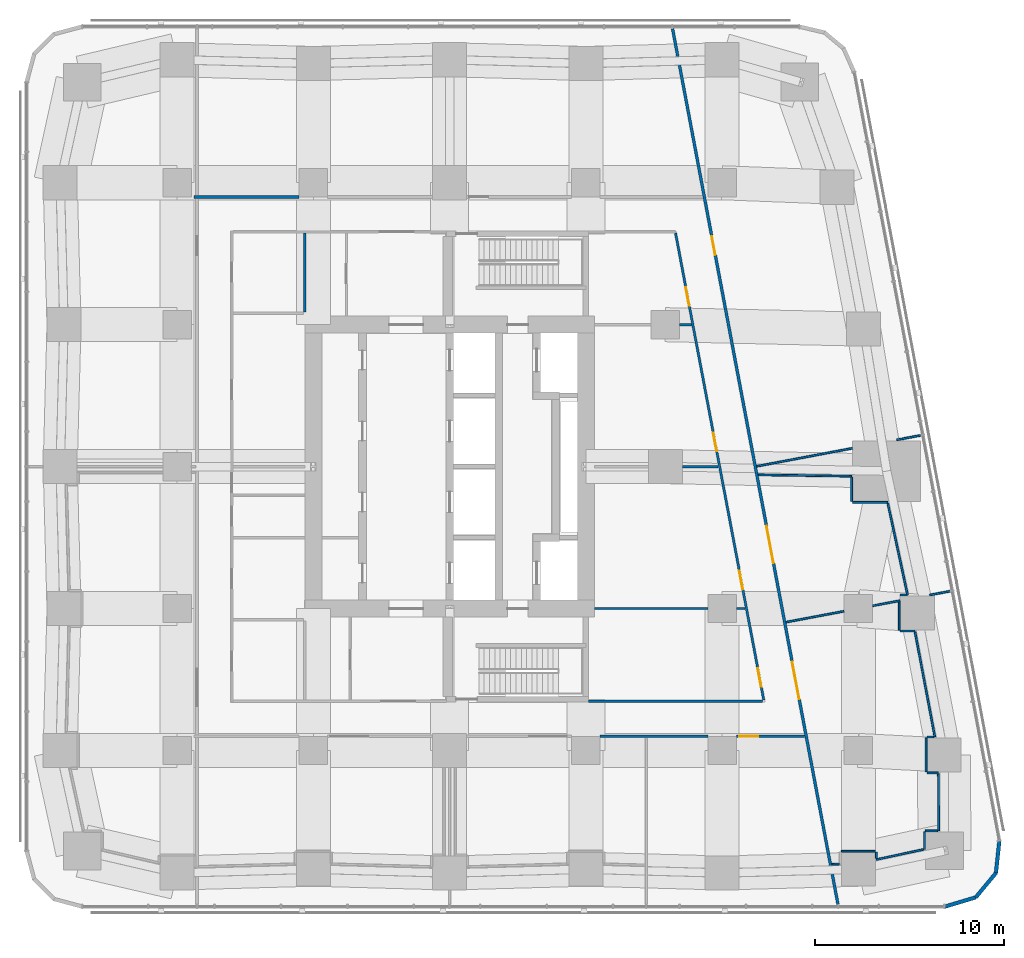
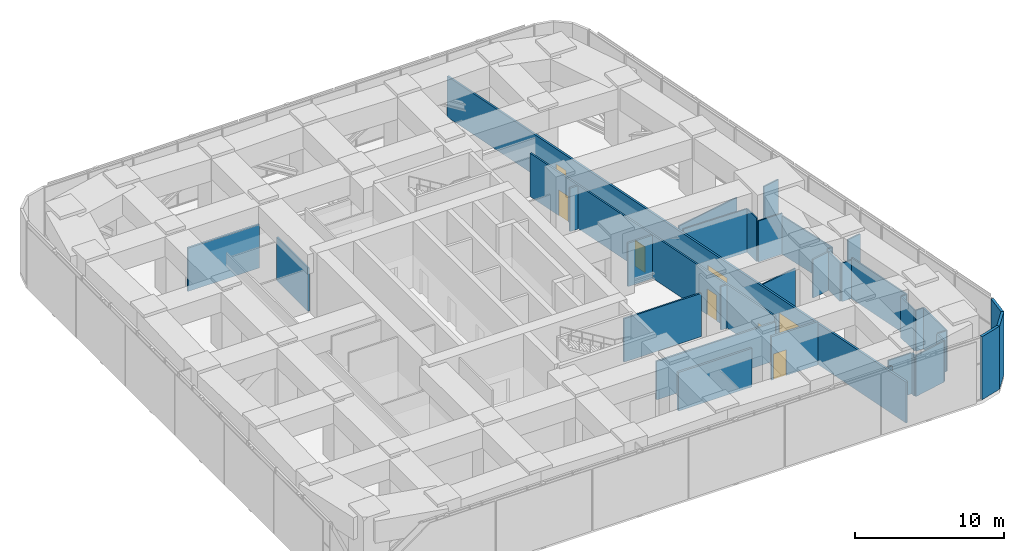
# One storey, part 14 of 17: 37 walls, 8 doors, 8 openings.
"""IFC4 building model written with IfcOpenShell, lengths in metres."""

from ifc_helpers import new_model, si_unit, direction, frame, frame_2d, origin, place, context, subcontext, project, spatial, rectangle, extrude, material, layer, layer_set, type_object, element, fill, save


model = new_model("IFC4")

# Units and contexts
model_context = context("Model", 3, precision=1e-05, world=origin(), true_north=direction((0.0, 1.0)))
body_context = subcontext(model_context, "Body", "Model", "MODEL_VIEW")
ifc_project = project(units=[si_unit("LENGTHUNIT", "METRE"), si_unit("AREAUNIT", "SQUARE_METRE"), si_unit("VOLUMEUNIT", "CUBIC_METRE"), si_unit("PLANEANGLEUNIT", "RADIAN"), si_unit("MASSUNIT", "GRAM", prefix="KILO")], contexts=[model_context])

# Site, building, storey
site_placement = place(None, origin())
site = spatial("IfcSite", under=ifc_project, at=site_placement, CompositionType="ELEMENT")
building_placement = place(site_placement, origin())
building = spatial("IfcBuilding", under=site, at=building_placement, Name="Sheger Commons Tower", CompositionType="ELEMENT")
storey_placement = place(building_placement, frame((0.0, 0.0, 188.300048828125)))
storey = spatial("IfcBuildingStorey", under=building, at=storey_placement, Name="L48", CompositionType="ELEMENT", Elevation=188.300048828125)

# Wall, opening, door
ifc_material_1 = material(Name="Hollow concrete block masonry, skimmed both sides", Category="masonry")
ifc_layer_1 = layer(ifc_material_1, 0.14990234375)
ifc_layer_set_1 = layer_set([ifc_layer_1], Name="CORRIDOR WALL 150")
wall_type_1 = type_object("IfcWallType", Name="CORRIDOR WALL 150", PredefinedType="SOLIDWALL", material=ifc_layer_set_1)
wall_1_placement = place(storey_placement, frame((40.35595703125, 8.25, 0.0), z_axis=(0.0, 0.0, 1.0), x_axis=(-1.0, 0.0, 0.0)))
wall_1 = element("IfcWall", 1, at=wall_1_placement, inside=storey, type_object=wall_type_1, Name="Corridor wall L48", PredefinedType="SOLIDWALL", context=body_context, shape_type="SweptSolid", body=[
    extrude(rectangle(XDim=3.60498046875, YDim=0.14990234375, at=frame_2d((1.802490234375, 0.0))), origin(), (0.0, 0.0, 1.0), 3.550048828125),
])
opening_1_placement = place(wall_1_placement, frame((2.455078125, 0.0, 0.0)))
opening_1 = element("IfcOpeningElement", 2, at=opening_1_placement, cuts=wall_1, Name="Opening D4", PredefinedType="OPENING", context=body_context, shape_type="SweptSolid", body=[
    extrude(rectangle(XDim=1.0, YDim=2.10009765625, at=frame_2d((0.5, 1.050048828125))), frame((0.0, 0.0849609375, 0.0), z_axis=(0.0, -1.0, 0.0), x_axis=(1.0, 0.0, 0.0)), (0.0, 0.0, 1.0), 0.169921875),
])
ifc_material_2 = material(Name="Steel door set, fire rated", Category="steel")
door_type_1 = type_object("IfcDoorType", Name="SERVICE DOOR 1000x2100", OperationType="NOTDEFINED", PredefinedType="DOOR", material=ifc_material_2)
door_1_placement = place(opening_1_placement, origin())
door_1 = element("IfcDoor", 3, at=door_1_placement, inside=storey, type_object=door_type_1, Name="Refuge area door", OperationType="SINGLE_SWING_RIGHT", OverallHeight=2.10009765625, OverallWidth=1.0, PredefinedType="DOOR", context=body_context, shape_type="SweptSolid", body=[
    extrude(rectangle(XDim=1.0, YDim=2.10009765625, at=frame_2d((0.5, 1.050048828125))), frame((0.0, 0.02490234375, 0.0), z_axis=(0.0, -1.0, 0.0), x_axis=(1.0, 0.0, 0.0)), (0.0, 0.0, 1.0), 0.050048828125),
])
fill(opening_1, door_1)

# Walls
wall_2_placement = place(storey_placement, frame((35.2490234375, 8.25, 0.0), z_axis=(0.0, 0.0, 1.0), x_axis=(-1.0, 0.0, 0.0)))
element("IfcWall", 4, at=wall_2_placement, inside=storey, type_object=wall_type_1, Name="Corridor wall L48", PredefinedType="SOLIDWALL", context=body_context, shape_type="SweptSolid", body=[
    extrude(rectangle(XDim=5.697998046875, YDim=0.14990234375, at=frame_2d((2.84912109375, 0.0))), origin(), (0.0, 0.0, 1.0), 3.14990234375),
])
wall_3_placement = place(storey_placement, frame((8.10009765625, 36.75, 0.0), z_axis=(0.0, 0.0, 1.0), x_axis=(1.0, 0.0, 0.0)))
element("IfcWall", 5, at=wall_3_placement, inside=storey, type_object=wall_type_1, Name="Corridor wall L48", PredefinedType="SOLIDWALL", context=body_context, shape_type="SweptSolid", body=[
    extrude(rectangle(XDim=5.548828125, YDim=0.14990234375, at=frame_2d((2.7744140625, 0.0))), origin(), (0.0, 0.0, 1.0), 3.550048828125),
])

# Wall, openings, doors
wall_4_placement = place(storey_placement, frame((33.384033203125, 45.637939453125, 0.0), z_axis=(0.0, 0.0, 1.0), x_axis=(0.185609889355, -0.982623513342, 0.0)))
wall_4 = element("IfcWall", 6, at=wall_4_placement, inside=storey, type_object=wall_type_1, Name="Corridor wall L48", PredefinedType="SOLIDWALL", context=body_context, shape_type="SweptSolid", body=[
    extrude(rectangle(XDim=47.09326171875, YDim=0.14990234375, at=frame_2d((23.546630859375, 0.0))), origin(), (0.0, 0.0, 1.0), 3.349853515625),
])
opening_2_placement = place(wall_4_placement, frame((11.166015625, 0.0, 0.0)))
opening_2 = element("IfcOpeningElement", 7, at=opening_2_placement, cuts=wall_4, Name="Opening D4", PredefinedType="OPENING", context=body_context, shape_type="SweptSolid", body=[
    extrude(rectangle(XDim=1.0, YDim=2.10009765625, at=frame_2d((0.5, 1.050048828125))), frame((0.0, 0.0849609375, 0.0), z_axis=(0.0, -1.0, 0.0), x_axis=(1.0, 0.0, 0.0)), (0.0, 0.0, 1.0), 0.169921875),
])
opening_3_placement = place(wall_4_placement, frame((26.737060546875, 0.0, 0.0)))
opening_3 = element("IfcOpeningElement", 8, at=opening_3_placement, cuts=wall_4, Name="Opening D8", PredefinedType="OPENING", context=body_context, shape_type="SweptSolid", body=[
    extrude(rectangle(XDim=2.0, YDim=2.10009765625, at=frame_2d((1.0, 1.050048828125))), frame((0.0, 0.0849609375, 0.0), z_axis=(0.0, -1.0, 0.0), x_axis=(1.0, 0.0, 0.0)), (0.0, 0.0, 1.0), 0.169921875),
])
opening_4_placement = place(wall_4_placement, frame((34.05810546875, 0.0, 0.0)))
opening_4 = element("IfcOpeningElement", 9, at=opening_4_placement, cuts=wall_4, Name="Opening D8", PredefinedType="OPENING", context=body_context, shape_type="SweptSolid", body=[
    extrude(rectangle(XDim=2.0, YDim=2.10009765625, at=frame_2d((1.0, 1.050048828125))), frame((0.0, 0.0849609375, 0.0), z_axis=(0.0, -1.0, 0.0), x_axis=(1.0, 0.0, 0.0)), (0.0, 0.0, 1.0), 0.169921875),
])
ifc_material_3 = material(Name="Steel door set, fire rated", Category="steel")
door_type_2 = type_object("IfcDoorType", Name="COMMUNITY HALL DOUBLE DOOR 2000x2100", OperationType="DOUBLE_DOOR_SINGLE_SWING", PredefinedType="DOOR", material=ifc_material_3)
door_2_placement = place(opening_3_placement, origin())
door_2 = element("IfcDoor", 10, at=door_2_placement, inside=storey, type_object=door_type_2, Name="Library and study room door", OperationType="DOUBLE_DOOR_SINGLE_SWING", OverallHeight=2.10009765625, OverallWidth=2.0, PredefinedType="DOOR", context=body_context, shape_type="SweptSolid", body=[
    extrude(rectangle(XDim=2.0, YDim=2.10009765625, at=frame_2d((1.0, 1.050048828125))), frame((0.0, 0.02490234375, 0.0), z_axis=(0.0, -1.0, 0.0), x_axis=(1.0, 0.0, 0.0)), (0.0, 0.0, 1.0), 0.050048828125),
])
fill(opening_3, door_2)
door_3_placement = place(opening_4_placement, origin())
door_3 = element("IfcDoor", 11, at=door_3_placement, inside=storey, type_object=door_type_2, Name="Library reading room door", OperationType="DOUBLE_DOOR_SINGLE_SWING", OverallHeight=2.10009765625, OverallWidth=2.0, PredefinedType="DOOR", context=body_context, shape_type="SweptSolid", body=[
    extrude(rectangle(XDim=2.0, YDim=2.10009765625, at=frame_2d((1.0, 1.050048828125))), frame((0.0, 0.02490234375, 0.0), z_axis=(0.0, -1.0, 0.0), x_axis=(1.0, 0.0, 0.0)), (0.0, 0.0, 1.0), 0.050048828125),
])
fill(opening_4, door_3)
door_4_placement = place(opening_2_placement, origin())
door_4 = element("IfcDoor", 12, at=door_4_placement, inside=storey, type_object=door_type_1, Name="Refuge area door", OperationType="SINGLE_SWING_LEFT", OverallHeight=2.10009765625, OverallWidth=1.0, PredefinedType="DOOR", context=body_context, shape_type="SweptSolid", body=[
    extrude(rectangle(XDim=1.0, YDim=2.10009765625, at=frame_2d((0.5, 1.050048828125))), frame((0.0, 0.02490234375, 0.0), z_axis=(0.0, -1.0, 0.0), x_axis=(1.0, 0.0, 0.0)), (0.0, 0.0, 1.0), 0.050048828125),
])
fill(opening_2, door_4)

# Walls
ifc_material_4 = material(Name="Rendered concrete block masonry, dark grey", Category="masonry")
ifc_layer_2 = layer(ifc_material_4, 0.199951171875)
ifc_layer_set_2 = layer_set([ifc_layer_2], Name="FACADE WALL 200")
wall_type_2 = type_object("IfcWallType", Name="FACADE WALL 200", PredefinedType="SOLIDWALL", material=ifc_layer_set_2)
wall_5_placement = place(storey_placement, frame((47.791015625, -0.75, 0.0), z_axis=(0.0, 0.0, 1.0), x_axis=(0.957455232626, 0.288581838509, 0.0)))
element("IfcWall", 13, at=wall_5_placement, inside=storey, type_object=wall_type_2, Name="Facade wall L48", PredefinedType="SOLIDWALL", context=body_context, shape_type="SweptSolid", body=[
    extrude(rectangle(XDim=1.687744140625, YDim=0.199951171875, at=frame_2d((0.84375, 0.0))), origin(), (0.0, 0.0, 1.0), 5.14990234375),
])
wall_6_placement = place(storey_placement, frame((49.406982421875, -0.262939453125, 0.0), z_axis=(0.0, 0.0, 1.0), x_axis=(0.638042593423, 0.770001070764, 0.0)))
element("IfcWall", 14, at=wall_6_placement, inside=storey, type_object=wall_type_2, Name="Facade wall L48", PredefinedType="SOLIDWALL", context=body_context, shape_type="SweptSolid", body=[
    extrude(rectangle(XDim=1.672607421875, YDim=0.199951171875, at=frame_2d((0.83642578125, 0.0))), origin(), (0.0, 0.0, 1.0), 5.14990234375),
])
wall_7_placement = place(storey_placement, frame((50.47412109375, 1.02490234375, 0.0), z_axis=(0.0, 0.0, 1.0), x_axis=(0.106047815515, 0.994361031429, 0.0)))
element("IfcWall", 15, at=wall_7_placement, inside=storey, type_object=wall_type_2, Name="Facade wall L48", PredefinedType="SOLIDWALL", context=body_context, shape_type="SweptSolid", body=[
    extrude(rectangle(XDim=1.6875, YDim=0.199951171875, at=frame_2d((0.84375, 0.0))), origin(), (0.0, 0.0, 1.0), 5.14990234375),
])
ifc_material_5 = material(Name="Gypsum board on steel studs", Category="steel")
ifc_layer_3 = layer(ifc_material_5, 0.10009765625)
ifc_layer_set_3 = layer_set([ifc_layer_3], Name="PARTITION 100")
wall_type_3 = type_object("IfcWallType", Name="PARTITION 100", PredefinedType="PARTITIONING", material=ifc_layer_set_3)
wall_8_placement = place(storey_placement, frame((46.487060546875, 24.14990234375, 0.0), z_axis=(0.0, 0.0, 1.0), x_axis=(-0.982601295661, -0.185727471759, 0.0)))
element("IfcWall", 16, at=wall_8_placement, inside=storey, type_object=wall_type_3, Name="Partition L48", PredefinedType="PARTITIONING", context=body_context, shape_type="SweptSolid", body=[
    extrude(rectangle(XDim=1.2802734375, YDim=0.10009765625, at=frame_2d((0.64013671875, 0.0))), origin(), (0.0, 0.0, 1.0), 3.349853515625),
])
wall_9_placement = place(storey_placement, frame((42.886962890625, 23.469970703125, 0.0), z_axis=(0.0, 0.0, 1.0), x_axis=(-0.982608146753, -0.185691222019, 0.0)))
element("IfcWall", 17, at=wall_9_placement, inside=storey, type_object=wall_type_3, Name="Partition L48", PredefinedType="PARTITIONING", context=body_context, shape_type="SweptSolid", body=[
    extrude(rectangle(XDim=5.148681640625, YDim=0.10009765625, at=frame_2d((2.57421875, 0.0))), origin(), (0.0, 0.0, 1.0), 3.550048828125),
])
wall_10_placement = place(storey_placement, frame((48.04296875, 15.9150390625, 0.0), z_axis=(0.0, 0.0, 1.0), x_axis=(-0.982549270777, -0.186002501317, 0.0)))
element("IfcWall", 18, at=wall_10_placement, inside=storey, type_object=wall_type_3, Name="Partition L48", PredefinedType="PARTITIONING", context=body_context, shape_type="SweptSolid", body=[
    extrude(rectangle(XDim=1.092041015625, YDim=0.10009765625, at=frame_2d((0.5458984375, 0.0))), origin(), (0.0, 0.0, 1.0), 3.349853515625),
])
wall_11_placement = place(storey_placement, frame((45.404052734375, 15.416015625, 0.0), z_axis=(0.0, 0.0, 1.0), x_axis=(-0.982723281097, -0.185080935781, 0.0)))
element("IfcWall", 19, at=wall_11_placement, inside=storey, type_object=wall_type_3, Name="Partition L48", PredefinedType="PARTITIONING", context=body_context, shape_type="SweptSolid", body=[
    extrude(rectangle(XDim=1.469482421875, YDim=0.10009765625, at=frame_2d((0.73486328125, 0.0))), origin(), (0.0, 0.0, 1.0), 3.14990234375),
])
wall_12_placement = place(storey_placement, frame((42.43994140625, 14.85595703125, 0.0), z_axis=(0.0, 0.0, 1.0), x_axis=(-0.982643027883, -0.185506549084, 0.0)))
element("IfcWall", 20, at=wall_12_placement, inside=storey, type_object=wall_type_3, Name="Partition L48", PredefinedType="PARTITIONING", context=body_context, shape_type="SweptSolid", body=[
    extrude(rectangle(XDim=3.10986328125, YDim=0.10009765625, at=frame_2d((1.554931640625, 0.0))), origin(), (0.0, 0.0, 1.0), 3.14990234375),
])
wall_13_placement = place(storey_placement, frame((37.923095703125, 22.06396484375, 0.0), z_axis=(0.0, 0.0, 1.0), x_axis=(0.99989012089, -0.014823837076, 0.0)))
element("IfcWall", 21, at=wall_13_placement, inside=storey, type_object=wall_type_3, Name="Partition L48", PredefinedType="PARTITIONING", context=body_context, shape_type="SweptSolid", body=[
    extrude(rectangle(XDim=4.92431640625, YDim=0.10009765625, at=frame_2d((2.462158203125, 0.0))), origin(), (0.0, 0.0, 1.0), 3.550048828125),
])
wall_14_placement = place(storey_placement, frame((42.846923828125, 21.94091796875, 0.0), z_axis=(0.0, 0.0, 1.0), x_axis=(0.0, -1.0, 0.0)))
element("IfcWall", 22, at=wall_14_placement, inside=storey, type_object=wall_type_3, Name="Partition L48", PredefinedType="PARTITIONING", context=body_context, shape_type="SweptSolid", body=[
    extrude(rectangle(XDim=1.27783203125, YDim=0.10009765625, at=frame_2d((0.638916015625, 0.0))), origin(), (0.0, 0.0, 1.0), 3.550048828125),
])
wall_15_placement = place(storey_placement, frame((42.89697265625, 20.613037109375, 0.0), z_axis=(0.0, 0.0, 1.0), x_axis=(1.0, 0.0, 0.0)))
element("IfcWall", 23, at=wall_15_placement, inside=storey, type_object=wall_type_3, Name="Partition L48", PredefinedType="PARTITIONING", context=body_context, shape_type="SweptSolid", body=[
    extrude(rectangle(XDim=1.84912109375, YDim=0.10009765625, at=frame_2d((0.924560546875, 0.0))), origin(), (0.0, 0.0, 1.0), 3.349853515625),
])
wall_16_placement = place(storey_placement, frame((44.756103515625, 20.56494140625, 0.0), z_axis=(0.0, 0.0, 1.0), x_axis=(0.210718064905, -0.9775468772, 0.0)))
element("IfcWall", 24, at=wall_16_placement, inside=storey, type_object=wall_type_3, Name="Partition L48", PredefinedType="PARTITIONING", context=body_context, shape_type="SweptSolid", body=[
    extrude(rectangle(XDim=4.96337890625, YDim=0.10009765625, at=frame_2d((2.481689453125, 0.0))), origin(), (0.0, 0.0, 1.0), 3.14990234375),
])
wall_17_placement = place(storey_placement, frame((45.739990234375, 15.712890625, 0.0), z_axis=(0.0, 0.0, 1.0), x_axis=(-1.0, 0.0, 0.0)))
element("IfcWall", 25, at=wall_17_placement, inside=storey, type_object=wall_type_3, Name="Partition L48", PredefinedType="PARTITIONING", context=body_context, shape_type="SweptSolid", body=[
    extrude(rectangle(XDim=0.325927734375, YDim=0.10009765625, at=frame_2d((0.1630859375, 0.0))), origin(), (0.0, 0.0, 1.0), 3.14990234375),
])
wall_18_placement = place(storey_placement, frame((45.364013671875, 15.34912109375, 0.0), z_axis=(0.0, 0.0, 1.0), x_axis=(0.0, -1.0, 0.0)))
element("IfcWall", 26, at=wall_18_placement, inside=storey, type_object=wall_type_3, Name="Partition L48", PredefinedType="PARTITIONING", context=body_context, shape_type="SweptSolid", body=[
    extrude(rectangle(XDim=1.486083984375, YDim=0.10009765625, at=frame_2d((0.7431640625, 0.0))), origin(), (0.0, 0.0, 1.0), 3.14990234375),
])
wall_19_placement = place(storey_placement, frame((45.4140625, 13.81298828125, 0.0), z_axis=(0.0, 0.0, 1.0), x_axis=(1.0, 0.0, 0.0)))
element("IfcWall", 27, at=wall_19_placement, inside=storey, type_object=wall_type_3, Name="Partition L48", PredefinedType="PARTITIONING", context=body_context, shape_type="SweptSolid", body=[
    extrude(rectangle(XDim=0.77392578125, YDim=0.10009765625, at=frame_2d((0.386962890625, 0.0))), origin(), (0.0, 0.0, 1.0), 3.14990234375),
])
wall_20_placement = place(storey_placement, frame((46.197021484375, 13.764892578125, 0.0), z_axis=(0.0, 0.0, 1.0), x_axis=(0.185501542424, -0.982643973043, 0.0)))
element("IfcWall", 28, at=wall_20_placement, inside=storey, type_object=wall_type_3, Name="Partition L48", PredefinedType="PARTITIONING", context=body_context, shape_type="SweptSolid", body=[
    extrude(rectangle(XDim=5.650146484375, YDim=0.10009765625, at=frame_2d((2.8251953125, 0.0))), origin(), (0.0, 0.0, 1.0), 3.349853515625),
])
wall_21_placement = place(storey_placement, frame((47.18505859375, 8.212890625, 0.0), z_axis=(0.0, 0.0, 1.0), x_axis=(-1.0, 0.0, 0.0)))
element("IfcWall", 29, at=wall_21_placement, inside=storey, type_object=wall_type_3, Name="Partition L48", PredefinedType="PARTITIONING", context=body_context, shape_type="SweptSolid", body=[
    extrude(rectangle(XDim=0.35498046875, YDim=0.10009765625, at=frame_2d((0.177490234375, 0.0))), origin(), (0.0, 0.0, 1.0), 3.349853515625),
])
wall_22_placement = place(storey_placement, frame((46.780029296875, 8.1630859375, 0.0), z_axis=(0.0, 0.0, 1.0), x_axis=(0.0, -1.0, 0.0)))
element("IfcWall", 30, at=wall_22_placement, inside=storey, type_object=wall_type_3, Name="Partition L48", PredefinedType="PARTITIONING", context=body_context, shape_type="SweptSolid", body=[
    extrude(rectangle(XDim=1.800048828125, YDim=0.10009765625, at=frame_2d((0.89990234375, 0.0))), origin(), (0.0, 0.0, 1.0), 3.349853515625),
])
wall_23_placement = place(storey_placement, frame((46.830078125, 6.31298828125, 0.0), z_axis=(0.0, 0.0, 1.0), x_axis=(1.0, 0.0, 0.0)))
element("IfcWall", 31, at=wall_23_placement, inside=storey, type_object=wall_type_3, Name="Partition L48", PredefinedType="PARTITIONING", context=body_context, shape_type="SweptSolid", body=[
    extrude(rectangle(XDim=0.60302734375, YDim=0.10009765625, at=frame_2d((0.301513671875, 0.0))), origin(), (0.0, 0.0, 1.0), 3.349853515625),
])
wall_24_placement = place(storey_placement, frame((47.43310546875, 6.262939453125, 0.0), z_axis=(0.0, 0.0, 1.0), x_axis=(0.003642815625, -0.999993364925, 0.0)))
element("IfcWall", 32, at=wall_24_placement, inside=storey, type_object=wall_type_3, Name="Partition L48", PredefinedType="PARTITIONING", context=body_context, shape_type="SweptSolid", body=[
    extrude(rectangle(XDim=3.015869140625, YDim=0.10009765625, at=frame_2d((1.5078125, 0.0))), origin(), (0.0, 0.0, 1.0), 3.349853515625),
])
wall_25_placement = place(storey_placement, frame((47.39404296875, 3.2470703125, 0.0), z_axis=(0.0, 0.0, 1.0), x_axis=(-1.0, 0.0, 0.0)))
element("IfcWall", 33, at=wall_25_placement, inside=storey, type_object=wall_type_3, Name="Partition L48", PredefinedType="PARTITIONING", context=body_context, shape_type="SweptSolid", body=[
    extrude(rectangle(XDim=0.64599609375, YDim=0.10009765625, at=frame_2d((0.322998046875, 0.0))), origin(), (0.0, 0.0, 1.0), 3.349853515625),
])
wall_26_placement = place(storey_placement, frame((46.697998046875, 3.197021484375, 0.0), z_axis=(0.0, 0.0, 1.0), x_axis=(0.0, -1.0, 0.0)))
element("IfcWall", 34, at=wall_26_placement, inside=storey, type_object=wall_type_3, Name="Partition L48", PredefinedType="PARTITIONING", context=body_context, shape_type="SweptSolid", body=[
    extrude(rectangle(XDim=0.91796875, YDim=0.10009765625, at=frame_2d((0.458984375, 0.0))), origin(), (0.0, 0.0, 1.0), 3.349853515625),
])
wall_27_placement = place(storey_placement, frame((46.64990234375, 2.26904296875, 0.0), z_axis=(0.0, 0.0, 1.0), x_axis=(-0.977944742597, -0.208863784381, 0.0)))
element("IfcWall", 35, at=wall_27_placement, inside=storey, type_object=wall_type_3, Name="Partition L48", PredefinedType="PARTITIONING", context=body_context, shape_type="SweptSolid", body=[
    extrude(rectangle(XDim=2.556396484375, YDim=0.10009765625, at=frame_2d((1.2783203125, 0.0))), origin(), (0.0, 0.0, 1.0), 3.349853515625),
])
wall_28_placement = place(storey_placement, frame((44.14990234375, 1.797119140625, 0.0), z_axis=(0.0, 0.0, 1.0), x_axis=(0.0, 1.0, 0.0)))
element("IfcWall", 36, at=wall_28_placement, inside=storey, type_object=wall_type_3, Name="Partition L48", PredefinedType="PARTITIONING", context=body_context, shape_type="SweptSolid", body=[
    extrude(rectangle(XDim=0.327880859375, YDim=0.10009765625, at=frame_2d((0.1640625, 0.0))), origin(), (0.0, 0.0, 1.0), 3.349853515625),
])
wall_29_placement = place(storey_placement, frame((44.10009765625, 2.175048828125, 0.0), z_axis=(0.0, 0.0, 1.0), x_axis=(-1.0, 0.0, 0.0)))
element("IfcWall", 37, at=wall_29_placement, inside=storey, type_object=wall_type_3, Name="Partition L48", PredefinedType="PARTITIONING", context=body_context, shape_type="SweptSolid", body=[
    extrude(rectangle(XDim=1.800048828125, YDim=0.10009765625, at=frame_2d((0.89990234375, 0.0))), origin(), (0.0, 0.0, 1.0), 3.349853515625),
])
wall_30_placement = place(storey_placement, frame((42.199951171875, 1.498046875, 0.0), z_axis=(0.0, 0.0, 1.0), x_axis=(-0.999534297435, -0.030515377305, 0.0)))
element("IfcWall", 38, at=wall_30_placement, inside=storey, type_object=wall_type_3, Name="Partition L48", PredefinedType="PARTITIONING", context=body_context, shape_type="SweptSolid", body=[
    extrude(rectangle(XDim=0.39208984375, YDim=0.10009765625, at=frame_2d((0.196044921875, 0.0))), origin(), (0.0, 0.0, 1.0), 3.349853515625),
])
ifc_material_6 = material(Name="Gypsum board on steel studs, two layers each side, fire rated", Category="steel")
ifc_layer_4 = layer(ifc_material_6, 0.125)
ifc_layer_set_4 = layer_set([ifc_layer_4], Name="SERVICE WALL 125")
wall_type_4 = type_object("IfcWallType", Name="SERVICE WALL 125", PredefinedType="PARTITIONING", material=ifc_layer_set_4)
wall_31_placement = place(storey_placement, frame((13.949951171875, 30.6630859375, 0.0), z_axis=(0.0, 0.0, 1.0), x_axis=(0.0, 1.0, 0.0)))
element("IfcWall", 39, at=wall_31_placement, inside=storey, type_object=wall_type_4, Name="Service room wall L48", PredefinedType="PARTITIONING", context=body_context, shape_type="SweptSolid", body=[
    extrude(rectangle(XDim=4.173828125, YDim=0.125, at=frame_2d((2.0869140625, 0.0))), origin(), (0.0, 0.0, 1.0), 3.550048828125),
])
wall_32_placement = place(storey_placement, frame((28.949951171875, 10.10009765625, 0.0), z_axis=(0.0, 0.0, 1.0), x_axis=(1.0, 0.0, 0.0)))
element("IfcWall", 40, at=wall_32_placement, inside=storey, type_object=wall_type_4, Name="Service room wall L48", PredefinedType="PARTITIONING", context=body_context, shape_type="SweptSolid", body=[
    extrude(rectangle(XDim=9.18798828125, YDim=0.125, at=frame_2d((4.593994140625, 0.0))), origin(), (0.0, 0.0, 1.0), 3.14990234375),
])

# Wall, openings, doors
wall_33_placement = place(storey_placement, frame((38.201904296875, 10.1630859375, 0.0), z_axis=(0.0, 0.0, 1.0), x_axis=(-0.185610321132, 0.982623431783, 0.0)))
wall_33 = element("IfcWall", 41, at=wall_33_placement, inside=storey, type_object=wall_type_4, Name="Service room wall L48", PredefinedType="PARTITIONING", context=body_context, shape_type="SweptSolid", body=[
    extrude(rectangle(XDim=25.111083984375, YDim=0.125, at=frame_2d((12.5556640625, 0.0))), origin(), (0.0, 0.0, 1.0), 3.550048828125),
])
opening_5_placement = place(wall_33_placement, frame((0.7080078125, 0.0, 0.0)))
opening_5 = element("IfcOpeningElement", 42, at=opening_5_placement, cuts=wall_33, Name="Opening D4", PredefinedType="OPENING", context=body_context, shape_type="SweptSolid", body=[
    extrude(rectangle(XDim=1.0, YDim=2.10009765625, at=frame_2d((0.5, 1.050048828125))), frame((0.0, 0.072509765625, 0.0), z_axis=(0.0, -1.0, 0.0), x_axis=(1.0, 0.0, 0.0)), (0.0, 0.0, 1.0), 0.14501953125),
])
opening_6_placement = place(wall_33_placement, frame((5.949951171875, 0.0, 0.0)))
opening_6 = element("IfcOpeningElement", 43, at=opening_6_placement, cuts=wall_33, Name="Opening D4", PredefinedType="OPENING", context=body_context, shape_type="SweptSolid", body=[
    extrude(rectangle(XDim=1.0, YDim=2.10009765625, at=frame_2d((0.5, 1.050048828125))), frame((0.0, 0.072509765625, 0.0), z_axis=(0.0, -1.0, 0.0), x_axis=(1.0, 0.0, 0.0)), (0.0, 0.0, 1.0), 0.14501953125),
])
opening_7_placement = place(wall_33_placement, frame((13.3779296875, 0.0, 0.0)))
opening_7 = element("IfcOpeningElement", 44, at=opening_7_placement, cuts=wall_33, Name="Opening D4", PredefinedType="OPENING", context=body_context, shape_type="SweptSolid", body=[
    extrude(rectangle(XDim=1.0, YDim=2.10009765625, at=frame_2d((0.5, 1.050048828125))), frame((0.0, 0.072509765625, 0.0), z_axis=(0.0, -1.0, 0.0), x_axis=(1.0, 0.0, 0.0)), (0.0, 0.0, 1.0), 0.14501953125),
])
opening_8_placement = place(wall_33_placement, frame((21.199951171875, 0.0, 0.0)))
opening_8 = element("IfcOpeningElement", 45, at=opening_8_placement, cuts=wall_33, Name="Opening D4", PredefinedType="OPENING", context=body_context, shape_type="SweptSolid", body=[
    extrude(rectangle(XDim=1.0, YDim=2.10009765625, at=frame_2d((0.5, 1.050048828125))), frame((0.0, 0.072509765625, 0.0), z_axis=(0.0, -1.0, 0.0), x_axis=(1.0, 0.0, 0.0)), (0.0, 0.0, 1.0), 0.14501953125),
])
door_5_placement = place(opening_5_placement, origin())
door_5 = element("IfcDoor", 46, at=door_5_placement, inside=storey, type_object=door_type_1, Name="Community kitchen door", OperationType="SINGLE_SWING_LEFT", OverallHeight=2.10009765625, OverallWidth=1.0, PredefinedType="DOOR", context=body_context, shape_type="SweptSolid", body=[
    extrude(rectangle(XDim=1.0, YDim=2.10009765625, at=frame_2d((0.5, 1.050048828125))), frame((0.0, 0.02490234375, 0.0), z_axis=(0.0, -1.0, 0.0), x_axis=(1.0, 0.0, 0.0)), (0.0, 0.0, 1.0), 0.050048828125),
])
fill(opening_5, door_5)
door_6_placement = place(opening_6_placement, origin())
door_6 = element("IfcDoor", 47, at=door_6_placement, inside=storey, type_object=door_type_1, Name="Refuge area store door", OperationType="SINGLE_SWING_LEFT", OverallHeight=2.10009765625, OverallWidth=1.0, PredefinedType="DOOR", context=body_context, shape_type="SweptSolid", body=[
    extrude(rectangle(XDim=1.0, YDim=2.10009765625, at=frame_2d((0.5, 1.050048828125))), frame((0.0, 0.02490234375, 0.0), z_axis=(0.0, -1.0, 0.0), x_axis=(1.0, 0.0, 0.0)), (0.0, 0.0, 1.0), 0.050048828125),
])
fill(opening_6, door_6)
door_7_placement = place(opening_7_placement, origin())
door_7 = element("IfcDoor", 48, at=door_7_placement, inside=storey, type_object=door_type_1, Name="Community store door", OperationType="SINGLE_SWING_LEFT", OverallHeight=2.10009765625, OverallWidth=1.0, PredefinedType="DOOR", context=body_context, shape_type="SweptSolid", body=[
    extrude(rectangle(XDim=1.0, YDim=2.10009765625, at=frame_2d((0.5, 1.050048828125))), frame((0.0, 0.02490234375, 0.0), z_axis=(0.0, -1.0, 0.0), x_axis=(1.0, 0.0, 0.0)), (0.0, 0.0, 1.0), 0.050048828125),
])
fill(opening_7, door_7)
door_8_placement = place(opening_8_placement, origin())
door_8 = element("IfcDoor", 49, at=door_8_placement, inside=storey, type_object=door_type_1, Name="First aid room door", OperationType="SINGLE_SWING_LEFT", OverallHeight=2.10009765625, OverallWidth=1.0, PredefinedType="DOOR", context=body_context, shape_type="SweptSolid", body=[
    extrude(rectangle(XDim=1.0, YDim=2.10009765625, at=frame_2d((0.5, 1.050048828125))), frame((0.0, 0.02490234375, 0.0), z_axis=(0.0, -1.0, 0.0), x_axis=(1.0, 0.0, 0.0)), (0.0, 0.0, 1.0), 0.050048828125),
])
fill(opening_8, door_8)

# Walls
wall_34_placement = place(storey_placement, frame((29.25, 15.0, 0.0), z_axis=(0.0, 0.0, 1.0), x_axis=(1.0, 0.0, 0.0)))
element("IfcWall", 50, at=wall_34_placement, inside=storey, type_object=wall_type_4, Name="Service room wall L48", PredefinedType="PARTITIONING", context=body_context, shape_type="SweptSolid", body=[
    extrude(rectangle(XDim=5.9990234375, YDim=0.125, at=frame_2d((2.99951171875, 0.0))), origin(), (0.0, 0.0, 1.0), 3.550048828125),
])
wall_35_placement = place(storey_placement, frame((36.7509765625, 15.0, 0.0), z_axis=(0.0, 0.0, 1.0), x_axis=(1.0, 0.0, 0.0)))
element("IfcWall", 51, at=wall_35_placement, inside=storey, type_object=wall_type_4, Name="Service room wall L48", PredefinedType="PARTITIONING", context=body_context, shape_type="SweptSolid", body=[
    extrude(rectangle(XDim=0.4619140625, YDim=0.125, at=frame_2d((0.23095703125, 0.0))), origin(), (0.0, 0.0, 1.0), 3.550048828125),
])
wall_36_placement = place(storey_placement, frame((33.90087890625, 22.5, 0.0), z_axis=(0.0, 0.0, 1.0), x_axis=(1.0, 0.0, 0.0)))
element("IfcWall", 52, at=wall_36_placement, inside=storey, type_object=wall_type_4, Name="Service room wall L48", PredefinedType="PARTITIONING", context=body_context, shape_type="SweptSolid", body=[
    extrude(rectangle(XDim=1.89501953125, YDim=0.125, at=frame_2d((0.947509765625, 0.0))), origin(), (0.0, 0.0, 1.0), 3.550048828125),
])
wall_37_placement = place(storey_placement, frame((33.7509765625, 30.0, 0.0), z_axis=(0.0, 0.0, 1.0), x_axis=(1.0, 0.0, 0.0)))
element("IfcWall", 53, at=wall_37_placement, inside=storey, type_object=wall_type_4, Name="Service room wall L48", PredefinedType="PARTITIONING", context=body_context, shape_type="SweptSolid", body=[
    extrude(rectangle(XDim=0.6279296875, YDim=0.125, at=frame_2d((0.31396484375, 0.0))), origin(), (0.0, 0.0, 1.0), 3.550048828125),
])

save(model, "model.ifc")
